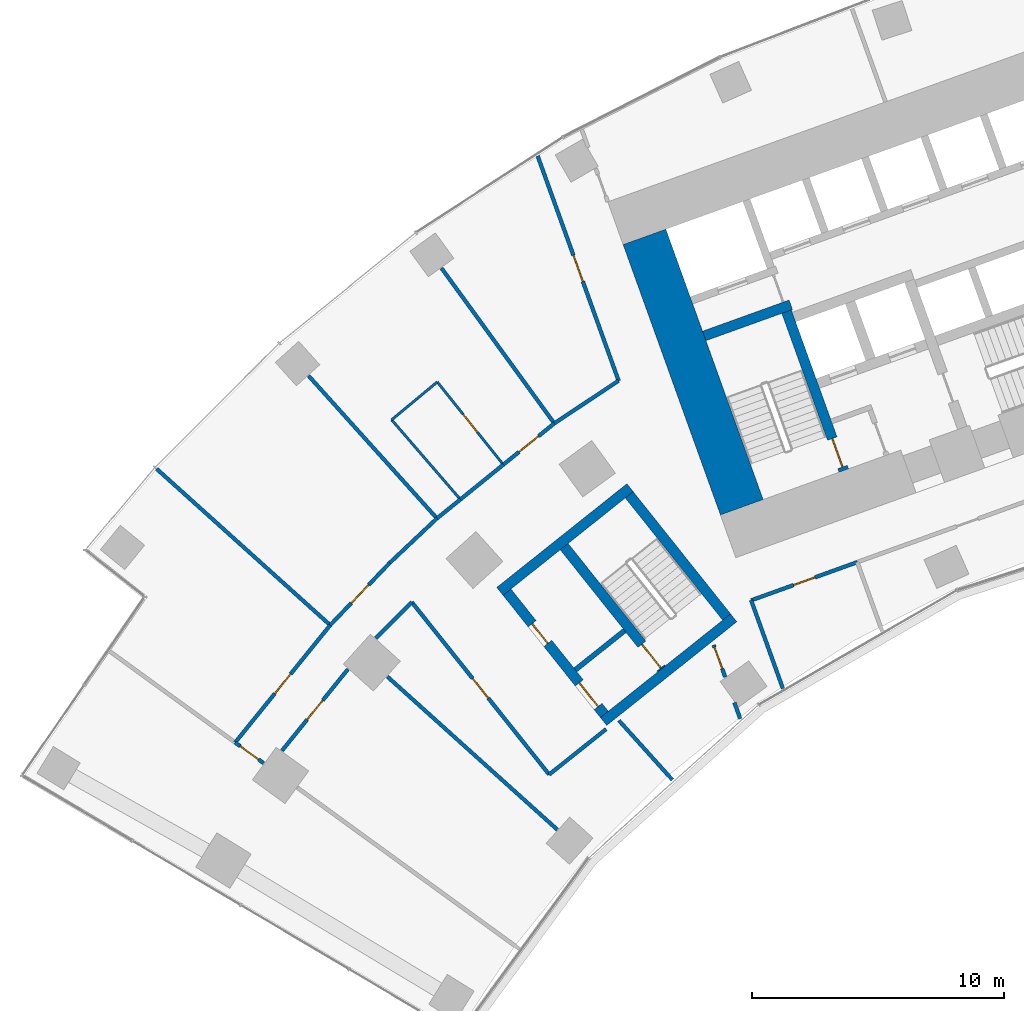
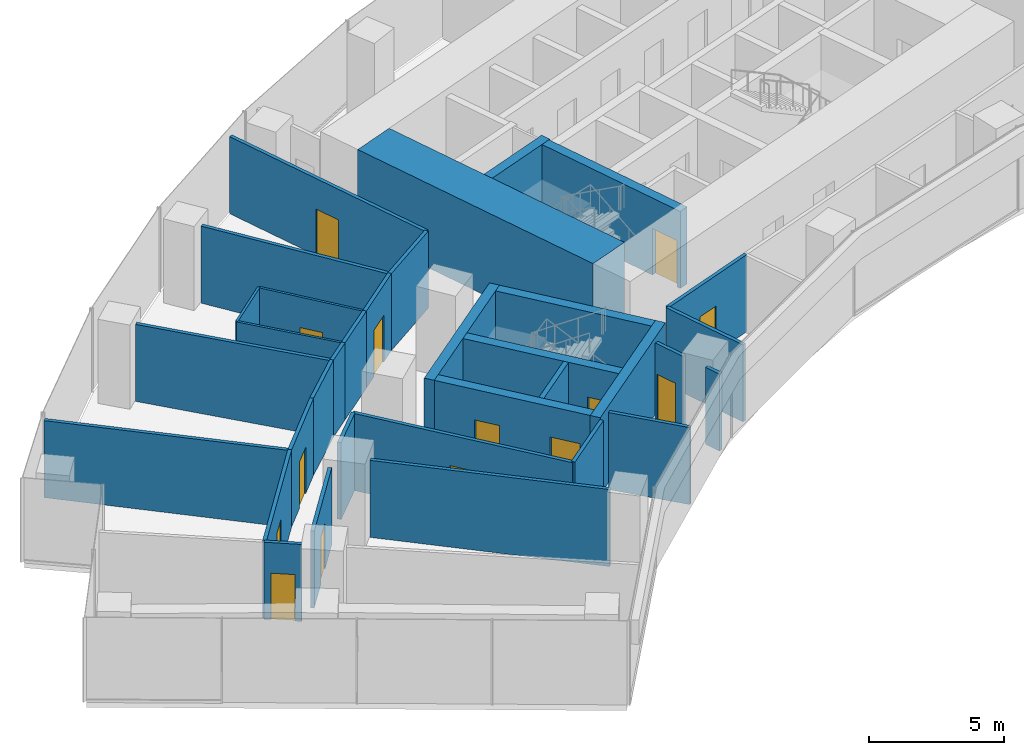
# One storey, part 14 of 21: 34 walls, 14 doors, 14 openings.
"""IFC4 building model written with IfcOpenShell, lengths in metres."""

from ifc_helpers import new_model, si_unit, direction, frame, frame_2d, origin, place, context, subcontext, project, spatial, rectangle, extrude, material, layer, layer_set, type_object, element, fill, save


model = new_model("IFC4")

# Units and contexts
model_context = context("Model", 3, precision=1e-05, world=origin(), true_north=direction((0.0, 1.0)))
body_context = subcontext(model_context, "Body", "Model", "MODEL_VIEW")
ifc_project = project(units=[si_unit("LENGTHUNIT", "METRE"), si_unit("AREAUNIT", "SQUARE_METRE"), si_unit("VOLUMEUNIT", "CUBIC_METRE"), si_unit("PLANEANGLEUNIT", "RADIAN"), si_unit("MASSUNIT", "GRAM", prefix="KILO")], contexts=[model_context])

# Site, building, storey
site_placement = place(None, origin())
site = spatial("IfcSite", under=ifc_project, at=site_placement, CompositionType="ELEMENT")
building_placement = place(site_placement, origin())
building = spatial("IfcBuilding", under=site, at=building_placement, Name="Stone Belt Terrace Tower", CompositionType="ELEMENT")
storey_placement = place(building_placement, frame((0.0, 0.0, 60.39990234375)))
storey = spatial("IfcBuildingStorey", under=building, at=storey_placement, Name="L14", CompositionType="ELEMENT", Elevation=60.39990234375)

# Wall
ifc_material_1 = material(Name="Concrete B80", Category="concrete")
ifc_layer_1 = layer(ifc_material_1, 1.800048828125)
ifc_layer_set_1 = layer_set([ifc_layer_1], Name="Core wall 1800 B80")
wall_type_1 = type_object("IfcWallType", Name="Core wall 1800 B80", PredefinedType="SHEAR", material=ifc_layer_set_1)
wall_1_placement = place(storey_placement, frame((-26.197509765625, 42.96728515625, 0.0), z_axis=(0.0, 0.0, 1.0), x_axis=(-0.338625431531, 0.940921259788, 0.0)))
element("IfcWall", 1, at=wall_1_placement, inside=storey, type_object=wall_type_1, Name="Core A wall end_a L14", PredefinedType="SHEAR", context=body_context, shape_type="SweptSolid", body=[
    extrude(rectangle(XDim=11.400146484375, YDim=1.800048828125, at=frame_2d((5.7001953125, 0.0))), origin(), (0.0, 0.0, 1.0), 3.800048828125),
])

# Wall, opening, door
ifc_material_2 = material(Name="Gypsum board partition")
ifc_layer_2 = layer(ifc_material_2, 0.10009765625)
ifc_layer_set_2 = layer_set([ifc_layer_2], Name="PARTITION 100")
wall_type_2 = type_object("IfcWallType", Name="PARTITION 100", PredefinedType="PARTITIONING", material=ifc_layer_set_2)
wall_2_placement = place(storey_placement, frame((-35.658935546875, 44.657958984375, 0.0), z_axis=(0.0, 0.0, 1.0), x_axis=(-0.623872039907, 0.781526504875, 0.0)))
wall_2 = element("IfcWall", 2, at=wall_2_placement, inside=storey, type_object=wall_type_2, Name="L14/wall/i054", PredefinedType="PARTITIONING", context=body_context, shape_type="SweptSolid", body=[
    extrude(rectangle(XDim=4.1982421875, YDim=0.10009765625, at=frame_2d((2.09912109375, 0.0))), origin(), (0.0, 0.0, 1.0), 3.47998046875),
])
opening_1_placement = place(wall_2_placement, frame((1.649169921875, 0.0, 0.0)))
opening_1 = element("IfcOpeningElement", 3, at=opening_1_placement, cuts=wall_2, Name="Opening D-A4-18", PredefinedType="OPENING", context=body_context, shape_type="SweptSolid", body=[
    extrude(rectangle(XDim=0.89990234375, YDim=2.10009765625, at=frame_2d((0.449951171875, 1.050048828125))), frame((0.0, 0.06005859375, 0.0), z_axis=(0.0, -1.0, 0.0), x_axis=(1.0, 0.0, 0.0)), (0.0, 0.0, 1.0), 0.1201171875),
])
ifc_material_3 = material(Name="Timber door leaf", Category="wood")
door_type_1 = type_object("IfcDoorType", Name="OFFICE DOOR 900 X 2100", OperationType="NOTDEFINED", PredefinedType="DOOR", material=ifc_material_3)
door_1_placement = place(opening_1_placement, origin())
door_1 = element("IfcDoor", 4, at=door_1_placement, inside=storey, type_object=door_type_1, Name="L14/door/i18", OperationType="SINGLE_SWING_RIGHT", OverallHeight=2.10009765625, OverallWidth=0.89990234375, PredefinedType="DOOR", context=body_context, shape_type="SweptSolid", body=[
    extrude(rectangle(XDim=0.89990234375, YDim=2.10009765625, at=frame_2d((0.449951171875, 1.050048828125))), frame((0.0, 0.02490234375, 0.0), z_axis=(0.0, -1.0, 0.0), x_axis=(1.0, 0.0, 0.0)), (0.0, 0.0, 1.0), 0.050048828125),
])
fill(opening_1, door_1)

# Walls
wall_3_placement = place(storey_placement, frame((-38.278076171875, 47.93896484375, 0.0), z_axis=(0.0, 0.0, 1.0), x_axis=(-0.769317491723, -0.63886665035, 0.0)))
element("IfcWall", 5, at=wall_3_placement, inside=storey, type_object=wall_type_2, Name="L14/wall/i055", PredefinedType="PARTITIONING", context=body_context, shape_type="SweptSolid", body=[
    extrude(rectangle(XDim=2.3525390625, YDim=0.10009765625, at=frame_2d((1.17626953125, 0.0))), origin(), (0.0, 0.0, 1.0), 3.47998046875),
])
wall_4_placement = place(storey_placement, frame((-40.087890625, 46.43603515625, 0.0), z_axis=(0.0, 0.0, 1.0), x_axis=(0.653414148452, -0.757000627875, 0.0)))
element("IfcWall", 6, at=wall_4_placement, inside=storey, type_object=wall_type_2, Name="L14/wall/i056", PredefinedType="PARTITIONING", context=body_context, shape_type="SweptSolid", body=[
    extrude(rectangle(XDim=4.171630859375, YDim=0.10009765625, at=frame_2d((2.0859375, 0.0))), origin(), (0.0, 0.0, 1.0), 3.47998046875),
])
ifc_layer_3 = layer(ifc_material_2, 0.14990234375)
ifc_layer_set_3 = layer_set([ifc_layer_3], Name="PARTITION 150 EI 60")
wall_type_3 = type_object("IfcWallType", Name="PARTITION 150 EI 60", PredefinedType="PARTITIONING", material=ifc_layer_set_3)
wall_5_placement = place(storey_placement, frame((-25.826904296875, 39.281005859375, 0.0), z_axis=(0.0, 0.0, 1.0), x_axis=(0.338392582605, -0.941005026574, 0.0)))
element("IfcWall", 7, at=wall_5_placement, inside=storey, type_object=wall_type_3, Name="L14/wall/i001", PredefinedType="PARTITIONING", context=body_context, shape_type="SweptSolid", body=[
    extrude(rectangle(XDim=3.729248046875, YDim=0.14990234375, at=frame_2d((1.86474609375, 0.0))), origin(), (0.0, 0.0, 1.0), 3.47998046875),
])
wall_6_placement = place(storey_placement, frame((-26.25732421875, 34.572021484375, 0.0), z_axis=(0.0, 0.0, 1.0), x_axis=(-0.338832657553, 0.940846656037, 0.0)))
element("IfcWall", 8, at=wall_6_placement, inside=storey, type_object=wall_type_3, Name="L14/wall/i004", PredefinedType="PARTITIONING", context=body_context, shape_type="SweptSolid", body=[
    extrude(rectangle(XDim=0.6875, YDim=0.14990234375, at=frame_2d((0.34375, 0.0))), origin(), (0.0, 0.0, 1.0), 3.47998046875),
])

# Wall, opening, door
wall_7_placement = place(storey_placement, frame((-26.85595703125, 36.234619140625, 0.0), z_axis=(0.0, 0.0, 1.0), x_axis=(-0.338828657155, 0.940848096714, 0.0)))
wall_7 = element("IfcWall", 9, at=wall_7_placement, inside=storey, type_object=wall_type_3, Name="L14/wall/i005", PredefinedType="PARTITIONING", context=body_context, shape_type="SweptSolid", body=[
    extrude(rectangle(XDim=1.345947265625, YDim=0.14990234375, at=frame_2d((0.6728515625, 0.0))), origin(), (0.0, 0.0, 1.0), 3.47998046875),
])
opening_2_placement = place(wall_7_placement, frame((0.3515625, 0.0, 0.0)))
opening_2 = element("IfcOpeningElement", 10, at=opening_2_placement, cuts=wall_7, Name="Opening D-A4-13", PredefinedType="OPENING", context=body_context, shape_type="SweptSolid", body=[
    extrude(rectangle(XDim=0.89990234375, YDim=2.10009765625, at=frame_2d((0.449951171875, 1.050048828125))), frame((0.0, 0.0849609375, 0.0), z_axis=(0.0, -1.0, 0.0), x_axis=(1.0, 0.0, 0.0)), (0.0, 0.0, 1.0), 0.169921875),
])
ifc_material_4 = material(Name="Timber fire door leaf", Category="wood")
door_type_2 = type_object("IfcDoorType", Name="TENANCY ENTRANCE DOOR 900 X 2100", OperationType="NOTDEFINED", PredefinedType="DOOR", material=ifc_material_4)
door_2_placement = place(opening_2_placement, origin())
door_2 = element("IfcDoor", 11, at=door_2_placement, inside=storey, type_object=door_type_2, Name="L14/door/i13", OperationType="SINGLE_SWING_RIGHT", OverallHeight=2.10009765625, OverallWidth=0.89990234375, PredefinedType="DOOR", context=body_context, shape_type="SweptSolid", body=[
    extrude(rectangle(XDim=0.89990234375, YDim=2.10009765625, at=frame_2d((0.449951171875, 1.050048828125))), frame((0.0, 0.02490234375, 0.0), z_axis=(0.0, -1.0, 0.0), x_axis=(1.0, 0.0, 0.0)), (0.0, 0.0, 1.0), 0.050048828125),
])
fill(opening_2, door_2)

wall_8_placement = place(storey_placement, frame((-31.0830078125, 47.98193359375, 0.0), z_axis=(0.0, 0.0, 1.0), x_axis=(-0.338806014878, 0.940856250594, 0.0)))
wall_8 = element("IfcWall", 12, at=wall_8_placement, inside=storey, type_object=wall_type_3, Name="L14/wall/i006", PredefinedType="PARTITIONING", context=body_context, shape_type="SweptSolid", body=[
    extrude(rectangle(XDim=9.489501953125, YDim=0.14990234375, at=frame_2d((4.74462890625, 0.0))), origin(), (0.0, 0.0, 1.0), 3.47998046875),
])
opening_3_placement = place(wall_8_placement, frame((4.194580078125, 0.0, 0.0)))
opening_3 = element("IfcOpeningElement", 13, at=opening_3_placement, cuts=wall_8, Name="Opening D-A4-16", PredefinedType="OPENING", context=body_context, shape_type="SweptSolid", body=[
    extrude(rectangle(XDim=1.10009765625, YDim=2.10009765625, at=frame_2d((0.550048828125, 1.050048828125))), frame((0.0, 0.0849609375, 0.0), z_axis=(0.0, -1.0, 0.0), x_axis=(1.0, 0.0, 0.0)), (0.0, 0.0, 1.0), 0.169921875),
])
ifc_material_5 = material(Name="Steel fire door set", Category="steel")
door_type_3 = type_object("IfcDoorType", Name="SERVICE ROOM DOOR 1100 X 2100", OperationType="NOTDEFINED", PredefinedType="DOOR", material=ifc_material_5)
door_3_placement = place(opening_3_placement, origin())
door_3 = element("IfcDoor", 14, at=door_3_placement, inside=storey, type_object=door_type_3, Name="L14/door/i16", OperationType="SINGLE_SWING_LEFT", OverallHeight=2.10009765625, OverallWidth=1.10009765625, PredefinedType="DOOR", context=body_context, shape_type="SweptSolid", body=[
    extrude(rectangle(XDim=1.10009765625, YDim=2.10009765625, at=frame_2d((0.550048828125, 1.050048828125))), frame((0.0, 0.02490234375, 0.0), z_axis=(0.0, -1.0, 0.0), x_axis=(1.0, 0.0, 0.0)), (0.0, 0.0, 1.0), 0.050048828125),
])
fill(opening_3, door_3)

wall_9_placement = place(storey_placement, frame((-21.610107421875, 40.7919921875, 0.0), z_axis=(0.0, 0.0, 1.0), x_axis=(-0.940905474606, -0.338669289805, 0.0)))
wall_9 = element("IfcWall", 15, at=wall_9_placement, inside=storey, type_object=wall_type_3, Name="L14/wall/i011", PredefinedType="PARTITIONING", context=body_context, shape_type="SweptSolid", body=[
    extrude(rectangle(XDim=4.4794921875, YDim=0.14990234375, at=frame_2d((2.23974609375, 0.0))), origin(), (0.0, 0.0, 1.0), 3.47998046875),
])
opening_4_placement = place(wall_9_placement, frame((1.789794921875, 0.0, 0.0)))
opening_4 = element("IfcOpeningElement", 16, at=opening_4_placement, cuts=wall_9, Name="Opening D-A4-01", PredefinedType="OPENING", context=body_context, shape_type="SweptSolid", body=[
    extrude(rectangle(XDim=0.89990234375, YDim=2.10009765625, at=frame_2d((0.449951171875, 1.050048828125))), frame((0.0, 0.0849609375, 0.0), z_axis=(0.0, -1.0, 0.0), x_axis=(1.0, 0.0, 0.0)), (0.0, 0.0, 1.0), 0.169921875),
])
door_4_placement = place(opening_4_placement, origin())
door_4 = element("IfcDoor", 17, at=door_4_placement, inside=storey, type_object=door_type_1, Name="L14/door/i01", OperationType="SINGLE_SWING_RIGHT", OverallHeight=2.10009765625, OverallWidth=0.89990234375, PredefinedType="DOOR", context=body_context, shape_type="SweptSolid", body=[
    extrude(rectangle(XDim=0.89990234375, YDim=2.10009765625, at=frame_2d((0.449951171875, 1.050048828125))), frame((0.0, 0.02490234375, 0.0), z_axis=(0.0, -1.0, 0.0), x_axis=(1.0, 0.0, 0.0)), (0.0, 0.0, 1.0), 0.050048828125),
])
fill(opening_4, door_4)

wall_10_placement = place(storey_placement, frame((-45.167236328125, 32.816162109375, 0.0), z_axis=(0.0, 0.0, 1.0), x_axis=(-0.809353623303, 0.587321643094, 0.0)))
wall_10 = element("IfcWall", 18, at=wall_10_placement, inside=storey, type_object=wall_type_3, Name="L14/wall/i037", PredefinedType="PARTITIONING", context=body_context, shape_type="SweptSolid", body=[
    extrude(rectangle(XDim=1.40087890625, YDim=0.14990234375, at=frame_2d((0.700439453125, 0.0))), origin(), (0.0, 0.0, 1.0), 3.47998046875),
])
opening_5_placement = place(wall_10_placement, frame((0.25048828125, 0.0, 0.0)))
opening_5 = element("IfcOpeningElement", 19, at=opening_5_placement, cuts=wall_10, Name="Opening D-A4-12", PredefinedType="OPENING", context=body_context, shape_type="SweptSolid", body=[
    extrude(rectangle(XDim=0.89990234375, YDim=2.10009765625, at=frame_2d((0.449951171875, 1.050048828125))), frame((0.0, 0.0849609375, 0.0), z_axis=(0.0, -1.0, 0.0), x_axis=(1.0, 0.0, 0.0)), (0.0, 0.0, 1.0), 0.169921875),
])
door_5_placement = place(opening_5_placement, origin())
door_5 = element("IfcDoor", 20, at=door_5_placement, inside=storey, type_object=door_type_1, Name="L14/door/i12", OperationType="SINGLE_SWING_RIGHT", OverallHeight=2.10009765625, OverallWidth=0.89990234375, PredefinedType="DOOR", context=body_context, shape_type="SweptSolid", body=[
    extrude(rectangle(XDim=0.89990234375, YDim=2.10009765625, at=frame_2d((0.449951171875, 1.050048828125))), frame((0.0, 0.02490234375, 0.0), z_axis=(0.0, -1.0, 0.0), x_axis=(1.0, 0.0, 0.0)), (0.0, 0.0, 1.0), 0.050048828125),
])
fill(opening_5, door_5)

# Walls
wall_11_placement = place(storey_placement, frame((-33.635986328125, 46.2958984375, 0.0), z_axis=(0.0, 0.0, 1.0), x_axis=(0.833385857539, 0.552691607005, 0.0)))
element("IfcWall", 21, at=wall_11_placement, inside=storey, type_object=wall_type_3, Name="L14/wall/i040", PredefinedType="PARTITIONING", context=body_context, shape_type="SweptSolid", body=[
    extrude(rectangle(XDim=3.059814453125, YDim=0.14990234375, at=frame_2d((1.52978515625, 0.0))), origin(), (0.0, 0.0, 1.0), 3.47998046875),
])
wall_12_placement = place(storey_placement, frame((-38.2900390625, 42.527099609375, 0.0), z_axis=(0.0, 0.0, 1.0), x_axis=(0.777443786305, 0.628952429946, 0.0)))
element("IfcWall", 22, at=wall_12_placement, inside=storey, type_object=wall_type_3, Name="L14/wall/i041", PredefinedType="PARTITIONING", context=body_context, shape_type="SweptSolid", body=[
    extrude(rectangle(XDim=1.2001953125, YDim=0.14990234375, at=frame_2d((0.60009765625, 0.0))), origin(), (0.0, 0.0, 1.0), 3.47998046875),
])

# Wall, opening, door
wall_13_placement = place(storey_placement, frame((-35.6630859375, 44.654052734375, 0.0), z_axis=(0.0, 0.0, 1.0), x_axis=(0.777083561477, 0.629397440797, 0.0)))
wall_13 = element("IfcWall", 23, at=wall_13_placement, inside=storey, type_object=wall_type_3, Name="L14/wall/i042", PredefinedType="PARTITIONING", context=body_context, shape_type="SweptSolid", body=[
    extrude(rectangle(XDim=2.608642578125, YDim=0.14990234375, at=frame_2d((1.30419921875, 0.0))), origin(), (0.0, 0.0, 1.0), 3.47998046875),
])
opening_6_placement = place(wall_13_placement, frame((0.80419921875, 0.0, 0.0)))
opening_6 = element("IfcOpeningElement", 24, at=opening_6_placement, cuts=wall_13, Name="Opening D-A4-17", PredefinedType="OPENING", context=body_context, shape_type="SweptSolid", body=[
    extrude(rectangle(XDim=1.0, YDim=2.10009765625, at=frame_2d((0.5, 1.050048828125))), frame((0.0, 0.0849609375, 0.0), z_axis=(0.0, -1.0, 0.0), x_axis=(1.0, 0.0, 0.0)), (0.0, 0.0, 1.0), 0.169921875),
])
door_type_4 = type_object("IfcDoorType", Name="TENANCY ENTRANCE DOOR 1000 X 2100", OperationType="NOTDEFINED", PredefinedType="DOOR", material=ifc_material_4)
door_6_placement = place(opening_6_placement, origin())
door_6 = element("IfcDoor", 25, at=door_6_placement, inside=storey, type_object=door_type_4, Name="L14/door/i17", OperationType="SINGLE_SWING_RIGHT", OverallHeight=2.10009765625, OverallWidth=1.0, PredefinedType="DOOR", context=body_context, shape_type="SweptSolid", body=[
    extrude(rectangle(XDim=1.0, YDim=2.10009765625, at=frame_2d((0.5, 1.050048828125))), frame((0.0, 0.02490234375, 0.0), z_axis=(0.0, -1.0, 0.0), x_axis=(1.0, 0.0, 0.0)), (0.0, 0.0, 1.0), 0.050048828125),
])
fill(opening_6, door_6)

# Walls
wall_14_placement = place(storey_placement, frame((-37.366943359375, 43.27392578125, 0.0), z_axis=(0.0, 0.0, 1.0), x_axis=(0.777170056784, 0.629290634634, 0.0)))
element("IfcWall", 26, at=wall_14_placement, inside=storey, type_object=wall_type_3, Name="L14/wall/i043", PredefinedType="PARTITIONING", context=body_context, shape_type="SweptSolid", body=[
    extrude(rectangle(XDim=2.2041015625, YDim=0.14990234375, at=frame_2d((1.10205078125, 0.0))), origin(), (0.0, 0.0, 1.0), 3.47998046875),
])
wall_15_placement = place(storey_placement, frame((-40.1640625, 40.761962890625, 0.0), z_axis=(0.0, 0.0, 1.0), x_axis=(0.727996599904, 0.685580739613, 0.0)))
element("IfcWall", 27, at=wall_15_placement, inside=storey, type_object=wall_type_3, Name="L14/wall/i044", PredefinedType="PARTITIONING", context=body_context, shape_type="SweptSolid", body=[
    extrude(rectangle(XDim=2.572998046875, YDim=0.14990234375, at=frame_2d((1.28662109375, 0.0))), origin(), (0.0, 0.0, 1.0), 3.47998046875),
])
wall_16_placement = place(storey_placement, frame((-39.285888671875, 39.200927734375, 0.0), z_axis=(0.0, 0.0, 1.0), x_axis=(-0.707106781187, -0.707106781187, 0.0)))
element("IfcWall", 28, at=wall_16_placement, inside=storey, type_object=wall_type_3, Name="L14/wall/i045", PredefinedType="PARTITIONING", context=body_context, shape_type="SweptSolid", body=[
    extrude(rectangle(XDim=2.017333984375, YDim=0.14990234375, at=frame_2d((1.0087890625, 0.0))), origin(), (0.0, 0.0, 1.0), 3.47998046875),
])

# Wall, opening, door
wall_17_placement = place(storey_placement, frame((-41.82373046875, 36.541259765625, 0.0), z_axis=(0.0, 0.0, 1.0), x_axis=(-0.629213442028, -0.777232554884, 0.0)))
wall_17 = element("IfcWall", 29, at=wall_17_placement, inside=storey, type_object=wall_type_3, Name="L14/wall/i046", PredefinedType="PARTITIONING", context=body_context, shape_type="SweptSolid", body=[
    extrude(rectangle(XDim=4.15478515625, YDim=0.14990234375, at=frame_2d((2.077392578125, 0.0))), origin(), (0.0, 0.0, 1.0), 3.47998046875),
])
opening_7_placement = place(wall_17_placement, frame((1.577392578125, 0.0, 0.0)))
opening_7 = element("IfcOpeningElement", 30, at=opening_7_placement, cuts=wall_17, Name="Opening D-A4-15", PredefinedType="OPENING", context=body_context, shape_type="SweptSolid", body=[
    extrude(rectangle(XDim=1.0, YDim=2.10009765625, at=frame_2d((0.5, 1.050048828125))), frame((0.0, 0.0849609375, 0.0), z_axis=(0.0, -1.0, 0.0), x_axis=(1.0, 0.0, 0.0)), (0.0, 0.0, 1.0), 0.169921875),
])
door_7_placement = place(opening_7_placement, origin())
door_7 = element("IfcDoor", 31, at=door_7_placement, inside=storey, type_object=door_type_4, Name="L14/door/i15", OperationType="SINGLE_SWING_RIGHT", OverallHeight=2.10009765625, OverallWidth=1.0, PredefinedType="DOOR", context=body_context, shape_type="SweptSolid", body=[
    extrude(rectangle(XDim=1.0, YDim=2.10009765625, at=frame_2d((0.5, 1.050048828125))), frame((0.0, 0.02490234375, 0.0), z_axis=(0.0, -1.0, 0.0), x_axis=(1.0, 0.0, 0.0)), (0.0, 0.0, 1.0), 0.050048828125),
])
fill(opening_7, door_7)

wall_18_placement = place(storey_placement, frame((-42.52587890625, 38.291015625, 0.0), z_axis=(0.0, 0.0, 1.0), x_axis=(0.690963131402, 0.722889999269, 0.0)))
wall_18 = element("IfcWall", 32, at=wall_18_placement, inside=storey, type_object=wall_type_3, Name="L14/wall/i047", PredefinedType="PARTITIONING", context=body_context, shape_type="SweptSolid", body=[
    extrude(rectangle(XDim=3.418212890625, YDim=0.14990234375, at=frame_2d((1.708984375, 0.0))), origin(), (0.0, 0.0, 1.0), 3.47998046875),
])
opening_8_placement = place(wall_18_placement, frame((1.209228515625, 0.0, 0.0)))
opening_8 = element("IfcOpeningElement", 33, at=opening_8_placement, cuts=wall_18, Name="Opening D-A4-19", PredefinedType="OPENING", context=body_context, shape_type="SweptSolid", body=[
    extrude(rectangle(XDim=1.0, YDim=2.10009765625, at=frame_2d((0.5, 1.050048828125))), frame((0.0, 0.0849609375, 0.0), z_axis=(0.0, -1.0, 0.0), x_axis=(1.0, 0.0, 0.0)), (0.0, 0.0, 1.0), 0.169921875),
])
door_8_placement = place(opening_8_placement, origin())
door_8 = element("IfcDoor", 34, at=door_8_placement, inside=storey, type_object=door_type_4, Name="L14/door/i19", OperationType="SINGLE_SWING_RIGHT", OverallHeight=2.10009765625, OverallWidth=1.0, PredefinedType="DOOR", context=body_context, shape_type="SweptSolid", body=[
    extrude(rectangle(XDim=1.0, YDim=2.10009765625, at=frame_2d((0.5, 1.050048828125))), frame((0.0, 0.02490234375, 0.0), z_axis=(0.0, -1.0, 0.0), x_axis=(1.0, 0.0, 0.0)), (0.0, 0.0, 1.0), 0.050048828125),
])
fill(opening_8, door_8)

wall_19_placement = place(storey_placement, frame((-46.2958984375, 33.635986328125, 0.0), z_axis=(0.0, 0.0, 1.0), x_axis=(0.629322532513, 0.77714422733, 0.0)))
wall_19 = element("IfcWall", 35, at=wall_19_placement, inside=storey, type_object=wall_type_3, Name="L14/wall/i048", PredefinedType="PARTITIONING", context=body_context, shape_type="SweptSolid", body=[
    extrude(rectangle(XDim=5.98876953125, YDim=0.14990234375, at=frame_2d((2.994384765625, 0.0))), origin(), (0.0, 0.0, 1.0), 3.47998046875),
])
opening_9_placement = place(wall_19_placement, frame((2.494384765625, 0.0, 0.0)))
opening_9 = element("IfcOpeningElement", 36, at=opening_9_placement, cuts=wall_19, Name="Opening D-A4-20", PredefinedType="OPENING", context=body_context, shape_type="SweptSolid", body=[
    extrude(rectangle(XDim=1.0, YDim=2.10009765625, at=frame_2d((0.5, 1.050048828125))), frame((0.0, 0.0849609375, 0.0), z_axis=(0.0, -1.0, 0.0), x_axis=(1.0, 0.0, 0.0)), (0.0, 0.0, 1.0), 0.169921875),
])
door_9_placement = place(opening_9_placement, origin())
door_9 = element("IfcDoor", 37, at=door_9_placement, inside=storey, type_object=door_type_4, Name="L14/door/i20", OperationType="SINGLE_SWING_RIGHT", OverallHeight=2.10009765625, OverallWidth=1.0, PredefinedType="DOOR", context=body_context, shape_type="SweptSolid", body=[
    extrude(rectangle(XDim=1.0, YDim=2.10009765625, at=frame_2d((0.5, 1.050048828125))), frame((0.0, 0.02490234375, 0.0), z_axis=(0.0, -1.0, 0.0), x_axis=(1.0, 0.0, 0.0)), (0.0, 0.0, 1.0), 0.050048828125),
])
fill(opening_9, door_9)

# Wall
wall_20_placement = place(storey_placement, frame((-31.5810546875, 34.1650390625, 0.0), z_axis=(0.0, 0.0, 1.0), x_axis=(-0.782079504581, -0.623178665003, 0.0)))
element("IfcWall", 38, at=wall_20_placement, inside=storey, type_object=wall_type_3, Name="L14/wall/i049", PredefinedType="PARTITIONING", context=body_context, shape_type="SweptSolid", body=[
    extrude(rectangle(XDim=2.888427734375, YDim=0.14990234375, at=frame_2d((1.4443359375, 0.0))), origin(), (0.0, 0.0, 1.0), 3.47998046875),
])

# Wall, opening, door
wall_21_placement = place(storey_placement, frame((-33.840087890625, 32.364990234375, 0.0), z_axis=(0.0, 0.0, 1.0), x_axis=(-0.623151683061, 0.782101003643, 0.0)))
wall_21 = element("IfcWall", 39, at=wall_21_placement, inside=storey, type_object=wall_type_3, Name="L14/wall/i050", PredefinedType="PARTITIONING", context=body_context, shape_type="SweptSolid", body=[
    extrude(rectangle(XDim=8.745849609375, YDim=0.14990234375, at=frame_2d((4.373046875, 0.0))), origin(), (0.0, 0.0, 1.0), 3.47998046875),
])
opening_10_placement = place(wall_21_placement, frame((3.872802734375, 0.0, 0.0)))
opening_10 = element("IfcOpeningElement", 40, at=opening_10_placement, cuts=wall_21, Name="Opening D-A4-14", PredefinedType="OPENING", context=body_context, shape_type="SweptSolid", body=[
    extrude(rectangle(XDim=1.0, YDim=2.10009765625, at=frame_2d((0.5, 1.050048828125))), frame((0.0, 0.0849609375, 0.0), z_axis=(0.0, -1.0, 0.0), x_axis=(1.0, 0.0, 0.0)), (0.0, 0.0, 1.0), 0.169921875),
])
door_10_placement = place(opening_10_placement, origin())
door_10 = element("IfcDoor", 41, at=door_10_placement, inside=storey, type_object=door_type_4, Name="L14/door/i14", OperationType="SINGLE_SWING_RIGHT", OverallHeight=2.10009765625, OverallWidth=1.0, PredefinedType="DOOR", context=body_context, shape_type="SweptSolid", body=[
    extrude(rectangle(XDim=1.0, YDim=2.10009765625, at=frame_2d((0.5, 1.050048828125))), frame((0.0, 0.02490234375, 0.0), z_axis=(0.0, -1.0, 0.0), x_axis=(1.0, 0.0, 0.0)), (0.0, 0.0, 1.0), 0.050048828125),
])
fill(opening_10, door_10)

# Walls
wall_22_placement = place(storey_placement, frame((-28.94775390625, 32.149658203125, 0.0), z_axis=(0.0, 0.0, 1.0), x_axis=(-0.669245279782, 0.74304155704, 0.0)))
element("IfcWall", 42, at=wall_22_placement, inside=storey, type_object=wall_type_3, Name="L14/wall/i051", PredefinedType="PARTITIONING", context=body_context, shape_type="SweptSolid", body=[
    extrude(rectangle(XDim=3.172607421875, YDim=0.14990234375, at=frame_2d((1.58642578125, 0.0))), origin(), (0.0, 0.0, 1.0), 3.47998046875),
])
wall_23_placement = place(storey_placement, frame((-33.515869140625, 30.177734375, 0.0), z_axis=(0.0, 0.0, 1.0), x_axis=(-0.743122805234, 0.669155061508, 0.0)))
element("IfcWall", 43, at=wall_23_placement, inside=storey, type_object=wall_type_3, Name="L14/wall/i052", PredefinedType="PARTITIONING", context=body_context, shape_type="SweptSolid", body=[
    extrude(rectangle(XDim=9.070068359375, YDim=0.14990234375, at=frame_2d((4.53515625, 0.0))), origin(), (0.0, 0.0, 1.0), 3.47998046875),
])
wall_24_placement = place(storey_placement, frame((-33.635986328125, 46.2958984375, 0.0), z_axis=(0.0, 0.0, 1.0), x_axis=(-0.587784342943, 0.809017655055, 0.0)))
element("IfcWall", 44, at=wall_24_placement, inside=storey, type_object=wall_type_3, Name="L14/wall/i053", PredefinedType="PARTITIONING", context=body_context, shape_type="SweptSolid", body=[
    extrude(rectangle(XDim=7.60888671875, YDim=0.14990234375, at=frame_2d((3.804443359375, 0.0))), origin(), (0.0, 0.0, 1.0), 3.47998046875),
])
wall_25_placement = place(storey_placement, frame((-38.291015625, 42.52587890625, 0.0), z_axis=(0.0, 0.0, 1.0), x_axis=(-0.669060448127, 0.743207990237, 0.0)))
element("IfcWall", 45, at=wall_25_placement, inside=storey, type_object=wall_type_3, Name="L14/wall/i057", PredefinedType="PARTITIONING", context=body_context, shape_type="SweptSolid", body=[
    extrude(rectangle(XDim=7.609375, YDim=0.14990234375, at=frame_2d((3.8046875, 0.0))), origin(), (0.0, 0.0, 1.0), 3.47998046875),
])
wall_26_placement = place(storey_placement, frame((-42.52587890625, 38.291015625, 0.0), z_axis=(0.0, 0.0, 1.0), x_axis=(-0.743148838472, 0.66912614945, 0.0)))
element("IfcWall", 46, at=wall_26_placement, inside=storey, type_object=wall_type_3, Name="L14/wall/i058", PredefinedType="PARTITIONING", context=body_context, shape_type="SweptSolid", body=[
    extrude(rectangle(XDim=9.2744140625, YDim=0.14990234375, at=frame_2d((4.63720703125, 0.0))), origin(), (0.0, 0.0, 1.0), 3.47998046875),
])
ifc_material_6 = material(Name="Concrete masonry block", Category="masonry")
ifc_layer_4 = layer(ifc_material_6, 0.199951171875)
ifc_layer_set_4 = layer_set([ifc_layer_4], Name="Rated lobby wall 200")
wall_type_4 = type_object("IfcWallType", Name="Rated lobby wall 200", PredefinedType="PARTITIONING", material=ifc_layer_set_4)
wall_27_placement = place(storey_placement, frame((-30.845703125, 38.074951171875, 0.0), z_axis=(0.0, 0.0, 1.0), x_axis=(-0.782115323833, -0.623133709749, 0.0)))
element("IfcWall", 47, at=wall_27_placement, inside=storey, type_object=wall_type_4, Name="Exit stair ST3A wall", PredefinedType="PARTITIONING", context=body_context, shape_type="SweptSolid", body=[
    extrude(rectangle(XDim=2.5, YDim=0.199951171875, at=frame_2d((1.25, 0.0))), origin(), (0.0, 0.0, 1.0), 3.47998046875),
])
ifc_layer_5 = layer(ifc_material_1, 0.39990234375)
ifc_layer_set_5 = layer_set([ifc_layer_5], Name="Stair enclosure wall 400")
wall_type_5 = type_object("IfcWallType", Name="Stair enclosure wall 400", PredefinedType="SHEAR", material=ifc_layer_set_5)
wall_28_placement = place(storey_placement, frame((-27.687255859375, 49.764404296875, 0.0), z_axis=(0.0, 0.0, 1.0), x_axis=(0.940918954884, 0.338631835981, 0.0)))
element("IfcWall", 48, at=wall_28_placement, inside=storey, type_object=wall_type_5, Name="Core A wall", PredefinedType="SHEAR", context=body_context, shape_type="SweptSolid", body=[
    extrude(rectangle(XDim=3.650146484375, YDim=0.39990234375, at=frame_2d((1.8251953125, 0.0))), origin(), (0.0, 0.0, 1.0), 3.47998046875),
])

# Wall, opening, door
wall_29_placement = place(storey_placement, frame((-22.151611328125, 44.42333984375, 0.0), z_axis=(0.0, 0.0, 1.0), x_axis=(-0.338625272931, 0.940921316866, 0.0)))
wall_29 = element("IfcWall", 49, at=wall_29_placement, inside=storey, type_object=wall_type_5, Name="Core A wall", PredefinedType="SHEAR", context=body_context, shape_type="SweptSolid", body=[
    extrude(rectangle(XDim=6.699951171875, YDim=0.39990234375, at=frame_2d((3.35009765625, 0.0))), origin(), (0.0, 0.0, 1.0), 3.47998046875),
])
opening_11_placement = place(wall_29_placement, frame((0.14990234375, 0.0, 0.0)))
opening_11 = element("IfcOpeningElement", 50, at=opening_11_placement, cuts=wall_29, Name="Opening L14-C03", PredefinedType="OPENING", context=body_context, shape_type="SweptSolid", body=[
    extrude(rectangle(XDim=1.199951171875, YDim=2.10009765625, at=frame_2d((0.60009765625, 1.050048828125))), frame((0.0, 0.2099609375, 0.0), z_axis=(0.0, -1.0, 0.0), x_axis=(1.0, 0.0, 0.0)), (0.0, 0.0, 1.0), 0.419921875),
])
ifc_material_7 = material(Name="Steel door leaf", Category="steel")
door_type_5 = type_object("IfcDoorType", Name="Stair door 1200", OperationType="SINGLE_SWING_LEFT", PredefinedType="DOOR", material=ifc_material_7)
door_11_placement = place(opening_11_placement, origin())
door_11 = element("IfcDoor", 51, at=door_11_placement, inside=storey, type_object=door_type_5, Name="Stair 1 door core A", OperationType="SINGLE_SWING_RIGHT", OverallHeight=2.10009765625, OverallWidth=1.199951171875, PredefinedType="DOOR", context=body_context, shape_type="SweptSolid", body=[
    extrude(rectangle(XDim=1.199951171875, YDim=2.10009765625, at=frame_2d((0.60009765625, 1.050048828125))), frame((0.0, 0.02490234375, 0.0), z_axis=(0.0, -1.0, 0.0), x_axis=(1.0, 0.0, 0.0)), (0.0, 0.0, 1.0), 0.050048828125),
])
fill(opening_11, door_11)

# Walls
for number, where, z_axis, x_axis, name in (
    (52, (-26.518798828125, 38.58154296875, 0.0), (0.0, 0.0, 1.0), (-0.782133914161, -0.623110375711, 0.0), "Exit stair ST3A wall"),
    (53, (-30.63134765625, 43.74365234375, 0.0), (0.0, 0.0, 1.0), (-0.782133914161, -0.623110375711, 0.0), "Exit stair ST3A wall"),
):
    element("IfcWall", number, at=place(storey_placement, frame(where, z_axis=z_axis, x_axis=x_axis)), inside=storey, type_object=wall_type_5, Name=name, PredefinedType="SHEAR", context=body_context, shape_type="SweptSolid", body=[
        extrude(rectangle(XDim=6.60009765625, YDim=0.39990234375, at=frame_2d((3.300048828125, 0.0))), origin(), (0.0, 0.0, 1.0), 3.47998046875),
    ])
wall_30_placement = place(storey_placement, frame((-26.7998046875, 38.61328125, 0.0), z_axis=(0.0, 0.0, 1.0), x_axis=(-0.623118653668, 0.782127319208, 0.0)))
element("IfcWall", 54, at=wall_30_placement, inside=storey, type_object=wall_type_5, Name="Exit stair ST3A wall", PredefinedType="SHEAR", context=body_context, shape_type="SweptSolid", body=[
    extrude(rectangle(XDim=6.199951171875, YDim=0.39990234375, at=frame_2d((3.10009765625, 0.0))), origin(), (0.0, 0.0, 1.0), 3.47998046875),
])

# Wall, openings, doors
wall_31_placement = place(storey_placement, frame((-31.64892578125, 34.75, 0.0), z_axis=(0.0, 0.0, 1.0), x_axis=(-0.623118653668, 0.782127319208, 0.0)))
wall_31 = element("IfcWall", 55, at=wall_31_placement, inside=storey, type_object=wall_type_5, Name="Exit stair ST3A wall", PredefinedType="SHEAR", context=body_context, shape_type="SweptSolid", body=[
    extrude(rectangle(XDim=6.199951171875, YDim=0.39990234375, at=frame_2d((3.10009765625, 0.0))), origin(), (0.0, 0.0, 1.0), 3.47998046875),
])
opening_12_placement = place(wall_31_placement, frame((0.39990234375, 0.0, 0.0)))
opening_12 = element("IfcOpeningElement", 56, at=opening_12_placement, cuts=wall_31, Name="Opening L14-C18", PredefinedType="OPENING", context=body_context, shape_type="SweptSolid", body=[
    extrude(rectangle(XDim=1.199951171875, YDim=2.10009765625, at=frame_2d((0.60009765625, 1.050048828125))), frame((0.0, 0.2099609375, 0.0), z_axis=(0.0, -1.0, 0.0), x_axis=(1.0, 0.0, 0.0)), (0.0, 0.0, 1.0), 0.419921875),
])
opening_13_placement = place(wall_31_placement, frame((3.60009765625, 0.0, 0.0)))
opening_13 = element("IfcOpeningElement", 57, at=opening_13_placement, cuts=wall_31, Name="Opening L14-C19", PredefinedType="OPENING", context=body_context, shape_type="SweptSolid", body=[
    extrude(rectangle(XDim=1.0, YDim=2.10009765625, at=frame_2d((0.5, 1.050048828125))), frame((0.0, 0.2099609375, 0.0), z_axis=(0.0, -1.0, 0.0), x_axis=(1.0, 0.0, 0.0)), (0.0, 0.0, 1.0), 0.419921875),
])
door_type_6 = type_object("IfcDoorType", Name="Core room door 1000", OperationType="SINGLE_SWING_LEFT", PredefinedType="DOOR", material=ifc_material_3)
door_12_placement = place(opening_13_placement, origin())
door_12 = element("IfcDoor", 58, at=door_12_placement, inside=storey, type_object=door_type_6, Name="Door to stair pressurisation plant room ST3A", OperationType="SINGLE_SWING_LEFT", OverallHeight=2.10009765625, OverallWidth=1.0, PredefinedType="DOOR", context=body_context, shape_type="SweptSolid", body=[
    extrude(rectangle(XDim=1.0, YDim=2.10009765625, at=frame_2d((0.5, 1.050048828125))), frame((0.0, 0.02490234375, 0.0), z_axis=(0.0, -1.0, 0.0), x_axis=(1.0, 0.0, 0.0)), (0.0, 0.0, 1.0), 0.050048828125),
])
fill(opening_13, door_12)
door_type_7 = type_object("IfcDoorType", Name="Stair airlock door 1200", OperationType="SINGLE_SWING_LEFT", PredefinedType="DOOR", material=ifc_material_7)
door_13_placement = place(opening_12_placement, origin())
door_13 = element("IfcDoor", 59, at=door_13_placement, inside=storey, type_object=door_type_7, Name="Stair airlock door ST3A", OperationType="SINGLE_SWING_LEFT", OverallHeight=2.10009765625, OverallWidth=1.199951171875, PredefinedType="DOOR", context=body_context, shape_type="SweptSolid", body=[
    extrude(rectangle(XDim=1.199951171875, YDim=2.10009765625, at=frame_2d((0.60009765625, 1.050048828125))), frame((0.0, 0.02490234375, 0.0), z_axis=(0.0, -1.0, 0.0), x_axis=(1.0, 0.0, 0.0)), (0.0, 0.0, 1.0), 0.050048828125),
])
fill(opening_12, door_13)

# Wall, opening, door
wall_32_placement = place(storey_placement, frame((-29.380859375, 36.556884765625, 0.0), z_axis=(0.0, 0.0, 1.0), x_axis=(-0.623099462847, 0.782142608097, 0.0)))
wall_32 = element("IfcWall", 60, at=wall_32_placement, inside=storey, type_object=wall_type_5, Name="Exit stair ST3A wall", PredefinedType="SHEAR", context=body_context, shape_type="SweptSolid", body=[
    extrude(rectangle(XDim=6.2001953125, YDim=0.39990234375, at=frame_2d((3.10009765625, 0.0))), origin(), (0.0, 0.0, 1.0), 3.47998046875),
])
opening_14_placement = place(wall_32_placement, frame((0.050048828125, 0.0, 0.0)))
opening_14 = element("IfcOpeningElement", 61, at=opening_14_placement, cuts=wall_32, Name="Opening L14-C17", PredefinedType="OPENING", context=body_context, shape_type="SweptSolid", body=[
    extrude(rectangle(XDim=1.199951171875, YDim=2.10009765625, at=frame_2d((0.60009765625, 1.050048828125))), frame((0.0, 0.2099609375, 0.0), z_axis=(0.0, -1.0, 0.0), x_axis=(1.0, 0.0, 0.0)), (0.0, 0.0, 1.0), 0.419921875),
])
door_14_placement = place(opening_14_placement, origin())
door_14 = element("IfcDoor", 62, at=door_14_placement, inside=storey, type_object=door_type_5, Name="Stair door ST3A", OperationType="SINGLE_SWING_RIGHT", OverallHeight=2.10009765625, OverallWidth=1.199951171875, PredefinedType="DOOR", context=body_context, shape_type="SweptSolid", body=[
    extrude(rectangle(XDim=1.199951171875, YDim=2.10009765625, at=frame_2d((0.60009765625, 1.050048828125))), frame((0.0, 0.02490234375, 0.0), z_axis=(0.0, -1.0, 0.0), x_axis=(1.0, 0.0, 0.0)), (0.0, 0.0, 1.0), 0.050048828125),
])
fill(opening_14, door_14)

save(model, "model.ifc")
